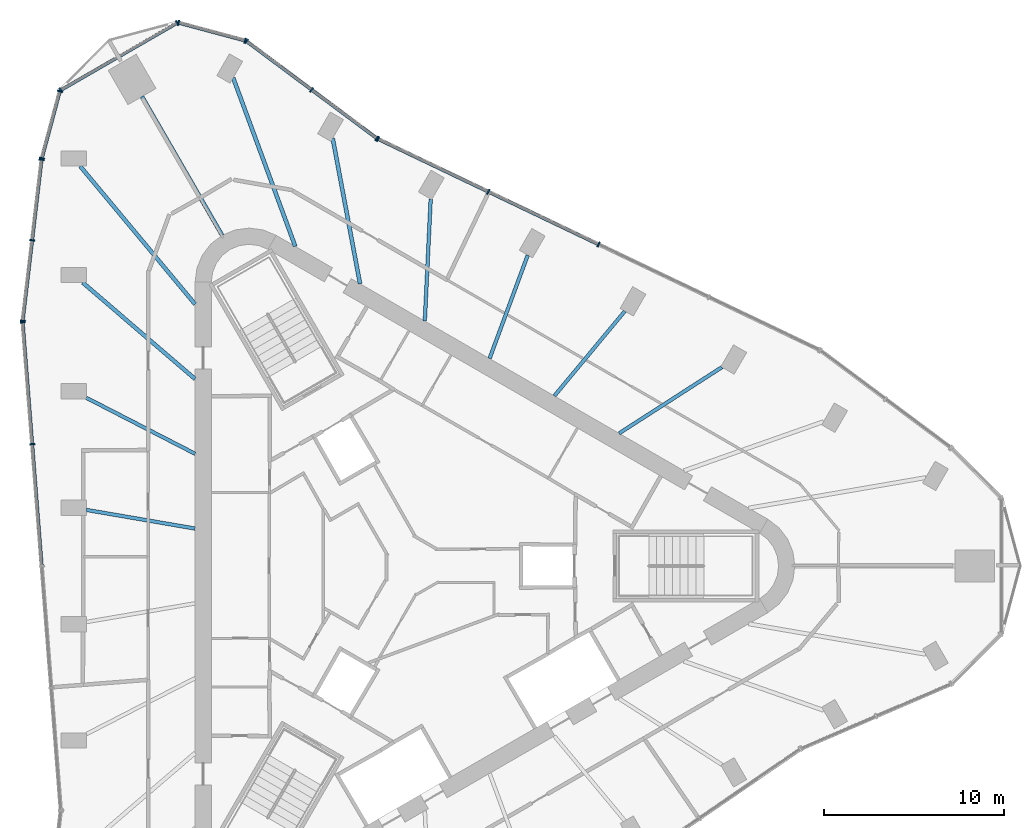
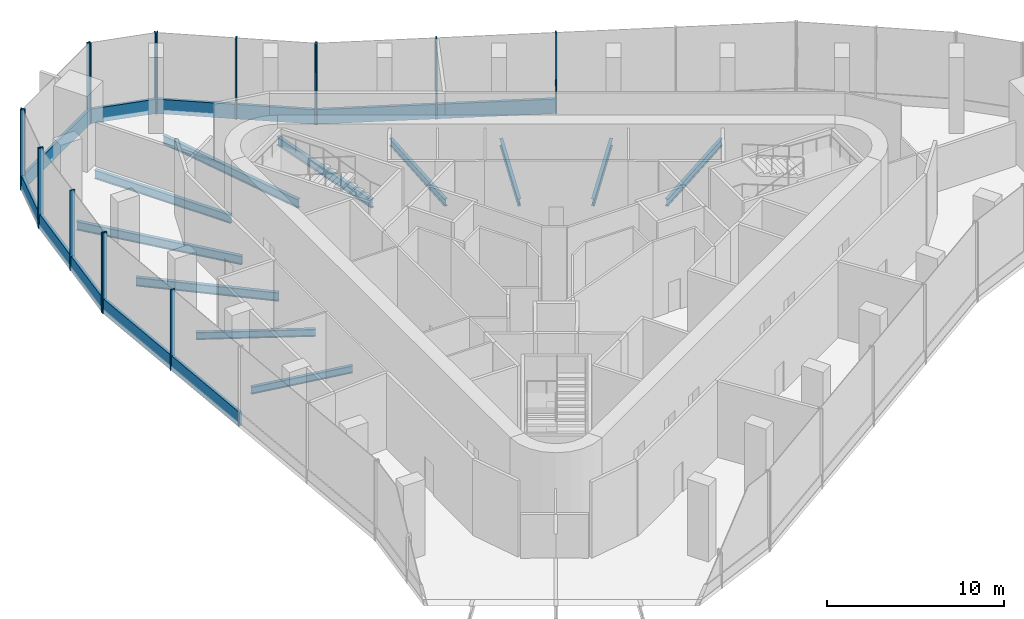
# One storey, part 4 of 13: 28 members, 11 beams, 7 elements without a shape of their own.
"""IFC4 building model written with IfcOpenShell, lengths in metres."""

from ifc_helpers import new_model, si_unit, direction, frame, origin, origin_2d, place, context, subcontext, project, spatial, rectangle, i_section, extrude, material, material_profile, profile_set, type_object, element, aggregate, save


model = new_model("IFC4")

# Units and contexts
model_context = context("Model", 3, precision=1e-05, world=origin(), true_north=direction((0.0, 1.0)))
body_context = subcontext(model_context, "Body", "Model", "MODEL_VIEW")
ifc_project = project(units=[si_unit("LENGTHUNIT", "METRE"), si_unit("AREAUNIT", "SQUARE_METRE"), si_unit("VOLUMEUNIT", "CUBIC_METRE"), si_unit("PLANEANGLEUNIT", "RADIAN"), si_unit("MASSUNIT", "GRAM", prefix="KILO")], contexts=[model_context])

# Site, building, storey
site_placement = place(None, origin())
site = spatial("IfcSite", under=ifc_project, at=site_placement, CompositionType="ELEMENT")
building_placement = place(site_placement, origin())
building = spatial("IfcBuilding", under=site, at=building_placement, Name="Tanit Gate Tower", CompositionType="ELEMENT")
storey_placement = place(building_placement, frame((0.0, 0.0, 404.800048828125)))
storey = spatial("IfcBuildingStorey", under=building, at=storey_placement, Name="L92", CompositionType="ELEMENT", Elevation=404.800048828125)

# Curtain wall, members
ifc_material_1 = material(Name="Aluminium bronze anodised and glass", Category="aluminium")
curtain_wall_type = type_object("IfcCurtainWallType", Name="Curtain wall observation", PredefinedType="NOTDEFINED", material=ifc_material_1)
curtain_wall_1_placement = place(storey_placement, origin())
curtain_wall_1 = element("IfcCurtainWall", 1, at=curtain_wall_1_placement, inside=storey, type_object=curtain_wall_type, Name="Curtain wall L92 NE2", PredefinedType="NOTDEFINED")
ifc_material_2 = material(Name="Aluminium bronze anodised", Category="aluminium")
ifc_material_profile_1 = material_profile(ifc_material_2, rectangle(XDim=0.300048828125, YDim=0.080078125, at=origin_2d()), Name="80x300 bronze mullion")
ifc_profile_set_1 = profile_set([ifc_material_profile_1], Name="Aluminium bronze anodised")
member_type_1 = type_object("IfcMemberType", Name="Mullion 80x300 observation", PredefinedType="MULLION", material=ifc_profile_set_1)
member_1_placement = place(storey_placement, frame((10.3046875, 17.85302734375, -0.300048828125), z_axis=(0.0, 0.0, 1.0), x_axis=(-0.431072811819, -0.902317145415, 0.0)))
member_1 = element("IfcMember", 2, at=member_1_placement, type_object=member_type_1, Name="Mullion L92 NE2.3", PredefinedType="MULLION", context=body_context, shape_type="SweptSolid", body=[
    extrude(rectangle(XDim=0.300048828125, YDim=0.080078125, at=origin_2d()), origin(), (0.0, 0.0, 1.0), 5.550048828125),
])
member_2_placement = place(storey_placement, frame((4.179931640625, 20.779052734375, -0.300048828125), z_axis=(0.0, 0.0, 1.0), x_axis=(-0.431072811819, -0.902317145415, 0.0)))
member_2 = element("IfcMember", 3, at=member_2_placement, type_object=member_type_1, Name="Mullion L92 NE2.4", PredefinedType="MULLION", context=body_context, shape_type="SweptSolid", body=[
    extrude(rectangle(XDim=0.300048828125, YDim=0.080078125, at=origin_2d()), origin(), (0.0, 0.0, 1.0), 5.550048828125),
])
member_3_placement = place(storey_placement, frame((-1.94482421875, 23.704833984375, -0.300048828125), z_axis=(0.0, 0.0, 1.0), x_axis=(-0.431072811819, -0.902317145415, 0.0)))
member_3 = element("IfcMember", 4, at=member_3_placement, type_object=member_type_1, Name="Mullion L92 NE2.5", PredefinedType="MULLION", context=body_context, shape_type="SweptSolid", body=[
    extrude(rectangle(XDim=0.300048828125, YDim=0.080078125, at=origin_2d()), origin(), (0.0, 0.0, 1.0), 5.550048828125),
])

curtain_wall_2_placement = place(storey_placement, origin())
curtain_wall_2 = element("IfcCurtainWall", 5, at=curtain_wall_2_placement, inside=storey, type_object=curtain_wall_type, Name="Curtain wall L92 NE3", PredefinedType="NOTDEFINED")
member_4_placement = place(storey_placement, frame((-2.012939453125, 23.74609375, -0.300048828125), z_axis=(0.0, 0.0, 1.0), x_axis=(-0.59734052401, -0.801987717098, 0.0)))
member_4 = element("IfcMember", 6, at=member_4_placement, type_object=member_type_1, Name="Mullion L92 NE3.1", PredefinedType="MULLION", context=body_context, shape_type="SweptSolid", body=[
    extrude(rectangle(XDim=0.300048828125, YDim=0.080078125, at=origin_2d()), origin(), (0.0, 0.0, 1.0), 5.550048828125),
])
member_5_placement = place(storey_placement, frame((-5.6298828125, 26.440185546875, -0.300048828125), z_axis=(0.0, 0.0, 1.0), x_axis=(-0.59734052401, -0.801987717098, 0.0)))
member_5 = element("IfcMember", 7, at=member_5_placement, type_object=member_type_1, Name="Mullion L92 NE3.2", PredefinedType="MULLION", context=body_context, shape_type="SweptSolid", body=[
    extrude(rectangle(XDim=0.300048828125, YDim=0.080078125, at=origin_2d()), origin(), (0.0, 0.0, 1.0), 5.550048828125),
])
member_6_placement = place(storey_placement, frame((-9.246826171875, 29.134033203125, -0.300048828125), z_axis=(0.0, 0.0, 1.0), x_axis=(-0.59734052401, -0.801987717098, 0.0)))
member_6 = element("IfcMember", 8, at=member_6_placement, type_object=member_type_1, Name="Mullion L92 NE3.3", PredefinedType="MULLION", context=body_context, shape_type="SweptSolid", body=[
    extrude(rectangle(XDim=0.300048828125, YDim=0.080078125, at=origin_2d()), origin(), (0.0, 0.0, 1.0), 5.550048828125),
])

curtain_wall_3_placement = place(storey_placement, origin())
curtain_wall_3 = element("IfcCurtainWall", 9, at=curtain_wall_3_placement, inside=storey, type_object=curtain_wall_type, Name="Curtain wall L92 NW.arc1", PredefinedType="NOTDEFINED")
member_7_placement = place(storey_placement, frame((-9.317626953125, 29.16845703125, -0.300048828125), z_axis=(0.0, 0.0, 1.0), x_axis=(-0.258819045103, -0.965925826289, 0.0)))
member_7 = element("IfcMember", 10, at=member_7_placement, type_object=member_type_1, Name="Mullion L92 NW.arc1.1", PredefinedType="MULLION", context=body_context, shape_type="SweptSolid", body=[
    extrude(rectangle(XDim=0.300048828125, YDim=0.080078125, at=origin_2d()), origin(), (0.0, 0.0, 1.0), 5.550048828125),
])
member_8_placement = place(storey_placement, frame((-13.023193359375, 30.161376953125, -0.300048828125), z_axis=(0.0, 0.0, 1.0), x_axis=(-0.258819045103, -0.965925826289, 0.0)))
member_8 = element("IfcMember", 11, at=member_8_placement, type_object=member_type_1, Name="Mullion L92 NW.arc1.2", PredefinedType="MULLION", context=body_context, shape_type="SweptSolid", body=[
    extrude(rectangle(XDim=0.300048828125, YDim=0.080078125, at=origin_2d()), origin(), (0.0, 0.0, 1.0), 5.550048828125),
])

curtain_wall_4_placement = place(storey_placement, origin())
curtain_wall_4 = element("IfcCurtainWall", 12, at=curtain_wall_4_placement, inside=storey, type_object=curtain_wall_type, Name="Curtain wall L92 NW.arc2", PredefinedType="NOTDEFINED")
member_9_placement = place(storey_placement, frame((-13.096435546875, 30.151611328125, -0.300048828125), z_axis=(0.0, 0.0, 1.0), x_axis=(0.5, -0.866025403784, 0.0)))
member_9 = element("IfcMember", 13, at=member_9_placement, type_object=member_type_1, Name="Mullion L92 NW.arc2.1", PredefinedType="MULLION", context=body_context, shape_type="SweptSolid", body=[
    extrude(rectangle(XDim=0.300048828125, YDim=0.080078125, at=origin_2d()), origin(), (0.0, 0.0, 1.0), 5.550048828125),
])
member_10_placement = place(storey_placement, frame((-19.56396484375, 26.417724609375, -0.300048828125), z_axis=(0.0, 0.0, 1.0), x_axis=(0.5, -0.866025403784, 0.0)))
member_10 = element("IfcMember", 14, at=member_10_placement, type_object=member_type_1, Name="Mullion L92 NW.arc2.2", PredefinedType="MULLION", context=body_context, shape_type="SweptSolid", body=[
    extrude(rectangle(XDim=0.300048828125, YDim=0.080078125, at=origin_2d()), origin(), (0.0, 0.0, 1.0), 5.550048828125),
])

curtain_wall_5_placement = place(storey_placement, origin())
curtain_wall_5 = element("IfcCurtainWall", 15, at=curtain_wall_5_placement, inside=storey, type_object=curtain_wall_type, Name="Curtain wall L92 NW.arc3", PredefinedType="NOTDEFINED")
member_11_placement = place(storey_placement, frame((-19.60888671875, 26.35888671875, -0.300048828125), z_axis=(0.0, 0.0, 1.0), x_axis=(0.965925826289, -0.258819045103, 0.0)))
member_11 = element("IfcMember", 16, at=member_11_placement, type_object=member_type_1, Name="Mullion L92 NW.arc3.1", PredefinedType="MULLION", context=body_context, shape_type="SweptSolid", body=[
    extrude(rectangle(XDim=0.300048828125, YDim=0.080078125, at=origin_2d()), origin(), (0.0, 0.0, 1.0), 5.550048828125),
])
member_12_placement = place(storey_placement, frame((-20.60546875, 22.6396484375, -0.300048828125), z_axis=(0.0, 0.0, 1.0), x_axis=(0.965925826289, -0.258819045103, 0.0)))
member_12 = element("IfcMember", 17, at=member_12_placement, type_object=member_type_1, Name="Mullion L92 NW.arc3.2", PredefinedType="MULLION", context=body_context, shape_type="SweptSolid", body=[
    extrude(rectangle(XDim=0.300048828125, YDim=0.080078125, at=origin_2d()), origin(), (0.0, 0.0, 1.0), 5.550048828125),
])

curtain_wall_6_placement = place(storey_placement, origin())
curtain_wall_6 = element("IfcCurtainWall", 18, at=curtain_wall_6_placement, inside=storey, type_object=curtain_wall_type, Name="Curtain wall L92 W1", PredefinedType="NOTDEFINED")
member_13_placement = place(storey_placement, frame((-20.620361328125, 22.561279296875, -0.300048828125), z_axis=(0.0, 0.0, 1.0), x_axis=(0.993211998535, -0.116318209953, 0.0)))
member_13 = element("IfcMember", 19, at=member_13_placement, type_object=member_type_1, Name="Mullion L92 W1.1", PredefinedType="MULLION", context=body_context, shape_type="SweptSolid", body=[
    extrude(rectangle(XDim=0.300048828125, YDim=0.080078125, at=origin_2d()), origin(), (0.0, 0.0, 1.0), 5.550048828125),
])
member_14_placement = place(storey_placement, frame((-21.14453125, 18.08642578125, -0.300048828125), z_axis=(0.0, 0.0, 1.0), x_axis=(0.993211998535, -0.116318209953, 0.0)))
member_14 = element("IfcMember", 20, at=member_14_placement, type_object=member_type_1, Name="Mullion L92 W1.2", PredefinedType="MULLION", context=body_context, shape_type="SweptSolid", body=[
    extrude(rectangle(XDim=0.300048828125, YDim=0.080078125, at=origin_2d()), origin(), (0.0, 0.0, 1.0), 5.550048828125),
])
member_15_placement = place(storey_placement, frame((-21.668701171875, 13.611572265625, -0.300048828125), z_axis=(0.0, 0.0, 1.0), x_axis=(0.993211998535, -0.116318209953, 0.0)))
member_15 = element("IfcMember", 21, at=member_15_placement, type_object=member_type_1, Name="Mullion L92 W1.3", PredefinedType="MULLION", context=body_context, shape_type="SweptSolid", body=[
    extrude(rectangle(XDim=0.300048828125, YDim=0.080078125, at=origin_2d()), origin(), (0.0, 0.0, 1.0), 5.550048828125),
])

curtain_wall_7_placement = place(storey_placement, origin())
curtain_wall_7 = element("IfcCurtainWall", 22, at=curtain_wall_7_placement, inside=storey, type_object=curtain_wall_type, Name="Curtain wall L92 W2", PredefinedType="NOTDEFINED")
member_16_placement = place(storey_placement, frame((-21.670166015625, 13.531982421875, -0.300048828125), z_axis=(0.0, 0.0, 1.0), x_axis=(0.996965976109, 0.077838566791, 0.0)))
member_16 = element("IfcMember", 23, at=member_16_placement, type_object=member_type_1, Name="Mullion L92 W2.1", PredefinedType="MULLION", context=body_context, shape_type="SweptSolid", body=[
    extrude(rectangle(XDim=0.300048828125, YDim=0.080078125, at=origin_2d()), origin(), (0.0, 0.0, 1.0), 5.550048828125),
])
member_17_placement = place(storey_placement, frame((-21.141845703125, 6.764892578125, -0.300048828125), z_axis=(0.0, 0.0, 1.0), x_axis=(0.996965976109, 0.077838566791, 0.0)))
member_17 = element("IfcMember", 24, at=member_17_placement, type_object=member_type_1, Name="Mullion L92 W2.2", PredefinedType="MULLION", context=body_context, shape_type="SweptSolid", body=[
    extrude(rectangle(XDim=0.300048828125, YDim=0.080078125, at=origin_2d()), origin(), (0.0, 0.0, 1.0), 5.550048828125),
])

# Beams
ifc_material_3 = material(Name="Steel S355", Category="steel")
ifc_material_profile_2 = material_profile(ifc_material_3, i_section(OverallWidth=0.199951171875, OverallDepth=0.5, WebThickness=0.01025390625, FlangeThickness=0.01611328125, FilletRadius=0.02099609375, at=origin_2d()), Name="IPE 500")
ifc_profile_set_2 = profile_set([ifc_material_profile_2], Name="Steel S355")
beam_type_1 = type_object("IfcBeamType", Name="RADIAL GIRDER IPE 500 S355", PredefinedType="BEAM", material=ifc_profile_set_2)
beam_1_placement = place(storey_placement, frame((17.151611328125, 11.036865234375, -0.550048828125), z_axis=(-0.840921151668, -0.541157663419, 0.0), x_axis=(0.541157663419, -0.840921151668, 0.0)))
element("IfcBeam", 25, at=beam_1_placement, inside=storey, type_object=beam_type_1, Name="RADIAL GIRDER", PredefinedType="BEAM", context=body_context, shape_type="SweptSolid", body=[
    extrude(i_section(OverallWidth=0.199951171875, OverallDepth=0.5, WebThickness=0.01025390625, FlangeThickness=0.01611328125, FilletRadius=0.02099609375, at=origin_2d()), origin(), (0.0, 0.0, 1.0), 6.784423828125),
])
beam_2_placement = place(storey_placement, frame((11.761962890625, 14.1484375, -0.550048828125), z_axis=(-0.639281465972, -0.76897282609, 0.0), x_axis=(0.76897282609, -0.639281465972, 0.0)))
element("IfcBeam", 26, at=beam_2_placement, inside=storey, type_object=beam_type_1, Name="RADIAL GIRDER", PredefinedType="BEAM", context=body_context, shape_type="SweptSolid", body=[
    extrude(i_section(OverallWidth=0.199951171875, OverallDepth=0.5, WebThickness=0.01025390625, FlangeThickness=0.01611328125, FilletRadius=0.02099609375, at=origin_2d()), origin(), (0.0, 0.0, 1.0), 6.119873046875),
])
beam_3_placement = place(storey_placement, frame((6.3720703125, 17.260498046875, -0.550048828125), z_axis=(-0.346331956525, -0.938112027366, 0.0), x_axis=(0.938112027366, -0.346331956525, 0.0)))
element("IfcBeam", 27, at=beam_3_placement, inside=storey, type_object=beam_type_1, Name="RADIAL GIRDER", PredefinedType="BEAM", context=body_context, shape_type="SweptSolid", body=[
    extrude(i_section(OverallWidth=0.199951171875, OverallDepth=0.5, WebThickness=0.01025390625, FlangeThickness=0.01611328125, FilletRadius=0.02099609375, at=origin_2d()), origin(), (0.0, 0.0, 1.0), 6.1201171875),
])
for number, where, z_axis, x_axis, name in (
    (28, (0.982177734375, 20.372314453125, -0.550048828125), (-0.048148149824, -0.998840205272, 0.0), (0.998840205272, -0.048148149824, 0.0), "RADIAL GIRDER"),
    (29, (-18.134033203125, 9.33544921875, -0.550048828125), (0.889089509104, -0.457733377416, 0.0), (0.457733377416, 0.889089509104, 0.0), "RADIAL GIRDER"),
):
    element("IfcBeam", number, at=place(storey_placement, frame(where, z_axis=z_axis, x_axis=x_axis)), inside=storey, type_object=beam_type_1, Name=name, PredefinedType="BEAM", context=body_context, shape_type="SweptSolid", body=[
        extrude(i_section(OverallWidth=0.199951171875, OverallDepth=0.5, WebThickness=0.01025390625, FlangeThickness=0.01611328125, FilletRadius=0.02099609375, at=origin_2d()), origin(), (0.0, 0.0, 1.0), 6.784423828125),
    ])
beam_4_placement = place(storey_placement, frame((-18.134033203125, 3.11181640625, -0.550048828125), z_axis=(0.985592249699, -0.169138751719, 0.0), x_axis=(0.169138751719, 0.985592249699, 0.0)))
element("IfcBeam", 30, at=beam_4_placement, inside=storey, type_object=beam_type_1, Name="RADIAL GIRDER", PredefinedType="BEAM", context=body_context, shape_type="SweptSolid", body=[
    extrude(i_section(OverallWidth=0.199951171875, OverallDepth=0.5, WebThickness=0.01025390625, FlangeThickness=0.01611328125, FilletRadius=0.02099609375, at=origin_2d()), origin(), (0.0, 0.0, 1.0), 6.1201171875),
])
ifc_material_4 = material(Name="Steel S355", Category="steel")
ifc_material_profile_3 = material_profile(ifc_material_4, i_section(OverallWidth=0.219970703125, OverallDepth=0.60009765625, WebThickness=0.011962890625, FlangeThickness=0.01904296875, FilletRadius=0.02392578125, at=origin_2d()), Name="IPE 600")
ifc_profile_set_3 = profile_set([ifc_material_profile_3], Name="Steel S355")
beam_type_2 = type_object("IfcBeamType", Name="RADIAL GIRDER IPE 600 S355", PredefinedType="BEAM", material=ifc_profile_set_3)
beam_5_placement = place(storey_placement, frame((-4.45751953125, 23.7490234375, -0.60009765625), z_axis=(0.184498405984, -0.982832812939, 0.0), x_axis=(0.982832812939, 0.184498405984, 0.0)))
element("IfcBeam", 31, at=beam_5_placement, inside=storey, type_object=beam_type_2, Name="RADIAL GIRDER", PredefinedType="BEAM", context=body_context, shape_type="SweptSolid", body=[
    extrude(i_section(OverallWidth=0.219970703125, OverallDepth=0.60009765625, WebThickness=0.011962890625, FlangeThickness=0.01904296875, FilletRadius=0.02392578125, at=origin_2d()), origin(), (0.0, 0.0, 1.0), 8.217529296875),
])
beam_6_placement = place(storey_placement, frame((-9.984619140625, 27.103515625, -0.60009765625), z_axis=(0.345682660263, -0.938351479134, 0.0), x_axis=(0.938351479134, 0.345682660263, 0.0)))
element("IfcBeam", 32, at=beam_6_placement, inside=storey, type_object=beam_type_2, Name="RADIAL GIRDER", PredefinedType="BEAM", context=body_context, shape_type="SweptSolid", body=[
    extrude(i_section(OverallWidth=0.219970703125, OverallDepth=0.60009765625, WebThickness=0.011962890625, FlangeThickness=0.01904296875, FilletRadius=0.02392578125, at=origin_2d()), origin(), (0.0, 0.0, 1.0), 9.96875),
])
beam_7_placement = place(storey_placement, frame((-15.0478515625, 26.063720703125, -0.60009765625), z_axis=(0.499983042864, -0.86603519377, 0.0), x_axis=(0.86603519377, 0.499983042864, 0.0)))
element("IfcBeam", 33, at=beam_7_placement, inside=storey, type_object=beam_type_2, Name="RADIAL GIRDER", PredefinedType="BEAM", context=body_context, shape_type="SweptSolid", body=[
    extrude(i_section(OverallWidth=0.219970703125, OverallDepth=0.60009765625, WebThickness=0.011962890625, FlangeThickness=0.01904296875, FilletRadius=0.02392578125, at=origin_2d()), origin(), (0.0, 0.0, 1.0), 8.893798828125),
])
beam_8_placement = place(storey_placement, frame((-18.480224609375, 22.198486328125, -0.60009765625), z_axis=(0.639810946261, -0.768532337019, 0.0), x_axis=(0.768532337019, 0.639810946261, 0.0)))
element("IfcBeam", 34, at=beam_8_placement, inside=storey, type_object=beam_type_2, Name="RADIAL GIRDER", PredefinedType="BEAM", context=body_context, shape_type="SweptSolid", body=[
    extrude(i_section(OverallWidth=0.219970703125, OverallDepth=0.60009765625, WebThickness=0.011962890625, FlangeThickness=0.01904296875, FilletRadius=0.02392578125, at=origin_2d()), origin(), (0.0, 0.0, 1.0), 9.96875),
])
beam_9_placement = place(storey_placement, frame((-18.338623046875, 15.734619140625, -0.60009765625), z_axis=(0.758929352331, -0.651172971008, 0.0), x_axis=(0.651172971008, 0.758929352331, 0.0)))
element("IfcBeam", 35, at=beam_9_placement, inside=storey, type_object=beam_type_2, Name="RADIAL GIRDER", PredefinedType="BEAM", context=body_context, shape_type="SweptSolid", body=[
    extrude(i_section(OverallWidth=0.219970703125, OverallDepth=0.60009765625, WebThickness=0.011962890625, FlangeThickness=0.01904296875, FilletRadius=0.02392578125, at=origin_2d()), origin(), (0.0, 0.0, 1.0), 8.217529296875),
])

# Member
ifc_material_5 = material(Name="Aluminium bronze anodised", Category="aluminium")
ifc_material_profile_4 = material_profile(ifc_material_5, rectangle(XDim=0.179931640625, YDim=1.0, at=origin_2d()), Name="180x1000 bronze transom")
ifc_profile_set_4 = profile_set([ifc_material_profile_4], Name="Aluminium bronze anodised")
member_type_2 = type_object("IfcMemberType", Name="Transom 180x1000 observation", PredefinedType="USERDEFINED", material=ifc_profile_set_4)
member_18_placement = place(storey_placement, frame((10.2685546875, 17.8701171875, 0.199951171875), z_axis=(-0.902312153024, 0.431083261685, 0.0), x_axis=(-0.431083261685, -0.902312153024, 0.0)))
member_18 = element("IfcMember", 36, at=member_18_placement, type_object=member_type_2, Name="Transom L92 NE2.3", ObjectType="TRANSOM", PredefinedType="USERDEFINED", context=body_context, shape_type="SweptSolid", body=[
    extrude(rectangle(XDim=0.179931640625, YDim=1.0, at=origin_2d()), origin(), (0.0, 0.0, 1.0), 6.707763671875),
])

member_19_placement = place(storey_placement, frame((4.14404296875, 20.796142578125, 0.199951171875), z_axis=(-0.902318916403, 0.431069104787, 0.0), x_axis=(-0.431069104787, -0.902318916403, 0.0)))
member_19 = element("IfcMember", 37, at=member_19_placement, type_object=member_type_2, Name="Transom L92 NE2.4", ObjectType="TRANSOM", PredefinedType="USERDEFINED", context=body_context, shape_type="SweptSolid", body=[
    extrude(rectangle(XDim=0.179931640625, YDim=1.0, at=origin_2d()), origin(), (0.0, 0.0, 1.0), 6.7080078125),
])

aggregate(curtain_wall_1, [member_1, member_2, member_3, member_18, member_19])

member_20_placement = place(storey_placement, frame((-2.044921875, 23.77001953125, 0.199951171875), z_axis=(-0.801979633129, 0.59735137737, 0.0), x_axis=(-0.59735137737, -0.801979633129, 0.0)))
member_20 = element("IfcMember", 38, at=member_20_placement, type_object=member_type_2, Name="Transom L92 NE3.1", ObjectType="TRANSOM", PredefinedType="USERDEFINED", context=body_context, shape_type="SweptSolid", body=[
    extrude(rectangle(XDim=0.179931640625, YDim=1.0, at=origin_2d()), origin(), (0.0, 0.0, 1.0), 4.429931640625),
])

member_21_placement = place(storey_placement, frame((-5.661865234375, 26.4638671875, 0.199951171875), z_axis=(-0.801999297117, 0.597324976393, 0.0), x_axis=(-0.597324976393, -0.801999297117, 0.0)))
member_21 = element("IfcMember", 39, at=member_21_placement, type_object=member_type_2, Name="Transom L92 NE3.2", ObjectType="TRANSOM", PredefinedType="USERDEFINED", context=body_context, shape_type="SweptSolid", body=[
    extrude(rectangle(XDim=0.179931640625, YDim=1.0, at=origin_2d()), origin(), (0.0, 0.0, 1.0), 4.43017578125),
])

aggregate(curtain_wall_2, [member_4, member_5, member_6, member_20, member_21])

member_22_placement = place(storey_placement, frame((-9.356201171875, 29.1787109375, 0.199951171875), z_axis=(-0.96592571171, 0.258819472716, 0.0), x_axis=(-0.258819472716, -0.96592571171, 0.0)))
member_22 = element("IfcMember", 40, at=member_22_placement, type_object=member_type_2, Name="Transom L92 NW.arc1.1", ObjectType="TRANSOM", PredefinedType="USERDEFINED", context=body_context, shape_type="SweptSolid", body=[
    extrude(rectangle(XDim=0.179931640625, YDim=1.0, at=origin_2d()), origin(), (0.0, 0.0, 1.0), 3.756103515625),
])

aggregate(curtain_wall_3, [member_7, member_8, member_22])

member_23_placement = place(storey_placement, frame((-13.131103515625, 30.131591796875, 0.199951171875), z_axis=(-0.866019944892, -0.500009454961, 0.0), x_axis=(0.500009454961, -0.866019944892, 0.0)))
member_23 = element("IfcMember", 41, at=member_23_placement, type_object=member_type_2, Name="Transom L92 NW.arc2.1", ObjectType="TRANSOM", PredefinedType="USERDEFINED", context=body_context, shape_type="SweptSolid", body=[
    extrude(rectangle(XDim=0.179931640625, YDim=1.0, at=origin_2d()), origin(), (0.0, 0.0, 1.0), 7.387939453125),
])

aggregate(curtain_wall_4, [member_9, member_10, member_23])

member_24_placement = place(storey_placement, frame((-19.619140625, 26.3203125, 0.199951171875), z_axis=(-0.258802972312, -0.965930132837, 0.0), x_axis=(0.965930132837, -0.258802972312, 0.0)))
member_24 = element("IfcMember", 42, at=member_24_placement, type_object=member_type_2, Name="Transom L92 NW.arc3.1", ObjectType="TRANSOM", PredefinedType="USERDEFINED", context=body_context, shape_type="SweptSolid", body=[
    extrude(rectangle(XDim=0.179931640625, YDim=1.0, at=origin_2d()), origin(), (0.0, 0.0, 1.0), 3.7705078125),
])

aggregate(curtain_wall_5, [member_11, member_12, member_24])

member_25_placement = place(storey_placement, frame((-20.625, 22.521484375, 0.199951171875), z_axis=(-0.116351490512, -0.993208100378, 0.0), x_axis=(0.993208100378, -0.116351490512, 0.0)))
member_25 = element("IfcMember", 43, at=member_25_placement, type_object=member_type_2, Name="Transom L92 W1.1", ObjectType="TRANSOM", PredefinedType="USERDEFINED", context=body_context, shape_type="SweptSolid", body=[
    extrude(rectangle(XDim=0.179931640625, YDim=1.0, at=origin_2d()), origin(), (0.0, 0.0, 1.0), 4.42529296875),
])

member_26_placement = place(storey_placement, frame((-21.149169921875, 18.046630859375, 0.199951171875), z_axis=(-0.116351490512, -0.993208100378, 0.0), x_axis=(0.993208100378, -0.116351490512, 0.0)))
member_26 = element("IfcMember", 44, at=member_26_placement, type_object=member_type_2, Name="Transom L92 W1.2", ObjectType="TRANSOM", PredefinedType="USERDEFINED", context=body_context, shape_type="SweptSolid", body=[
    extrude(rectangle(XDim=0.179931640625, YDim=1.0, at=origin_2d()), origin(), (0.0, 0.0, 1.0), 4.42529296875),
])

aggregate(curtain_wall_6, [member_13, member_14, member_15, member_25, member_26])

member_27_placement = place(storey_placement, frame((-21.6669921875, 13.4921875, 0.199951171875), z_axis=(0.077851491829, -0.996964966897, 0.0), x_axis=(0.996964966897, 0.077851491829, 0.0)))
member_27 = element("IfcMember", 45, at=member_27_placement, type_object=member_type_2, Name="Transom L92 W2.1", ObjectType="TRANSOM", PredefinedType="USERDEFINED", context=body_context, shape_type="SweptSolid", body=[
    extrude(rectangle(XDim=0.179931640625, YDim=1.0, at=origin_2d()), origin(), (0.0, 0.0, 1.0), 6.707763671875),
])

member_28_placement = place(storey_placement, frame((-21.138671875, 6.72509765625, 0.199951171875), z_axis=(0.077851491829, -0.996964966897, 0.0), x_axis=(0.996964966897, 0.077851491829, 0.0)))
member_28 = element("IfcMember", 46, at=member_28_placement, type_object=member_type_2, Name="Transom L92 W2.2", ObjectType="TRANSOM", PredefinedType="USERDEFINED", context=body_context, shape_type="SweptSolid", body=[
    extrude(rectangle(XDim=0.179931640625, YDim=1.0, at=origin_2d()), origin(), (0.0, 0.0, 1.0), 6.707763671875),
])

aggregate(curtain_wall_7, [member_16, member_17, member_27, member_28])

save(model, "model.ifc")
